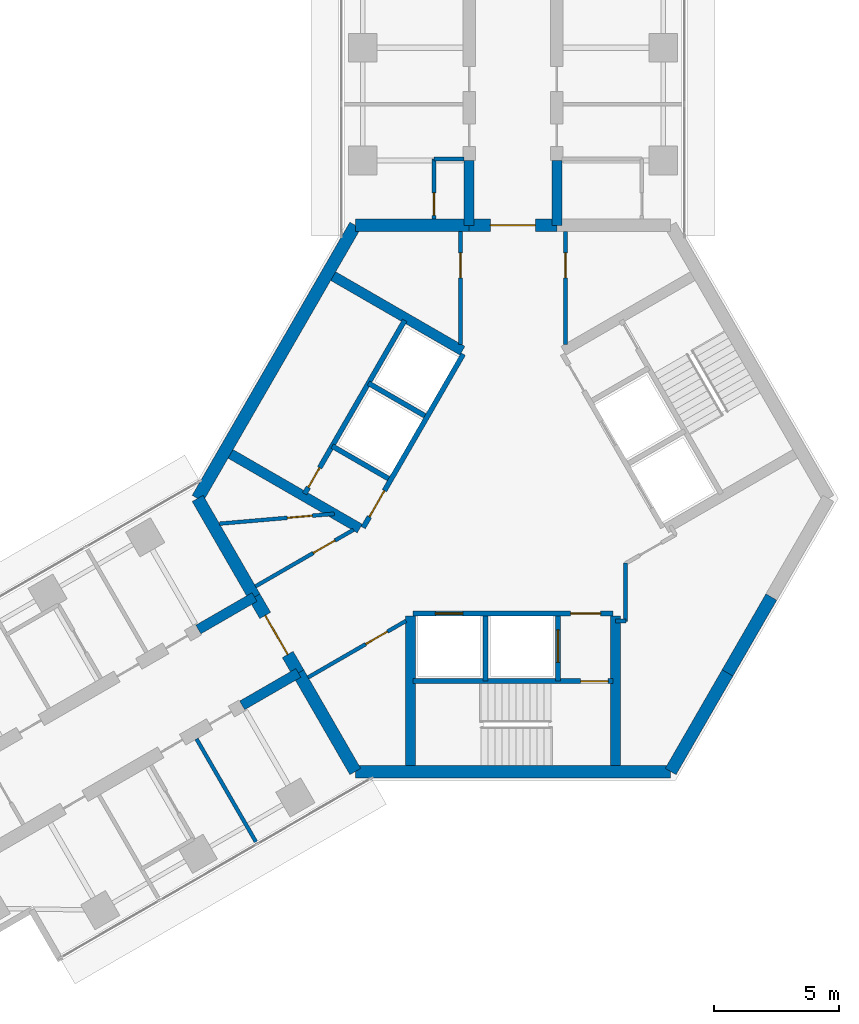
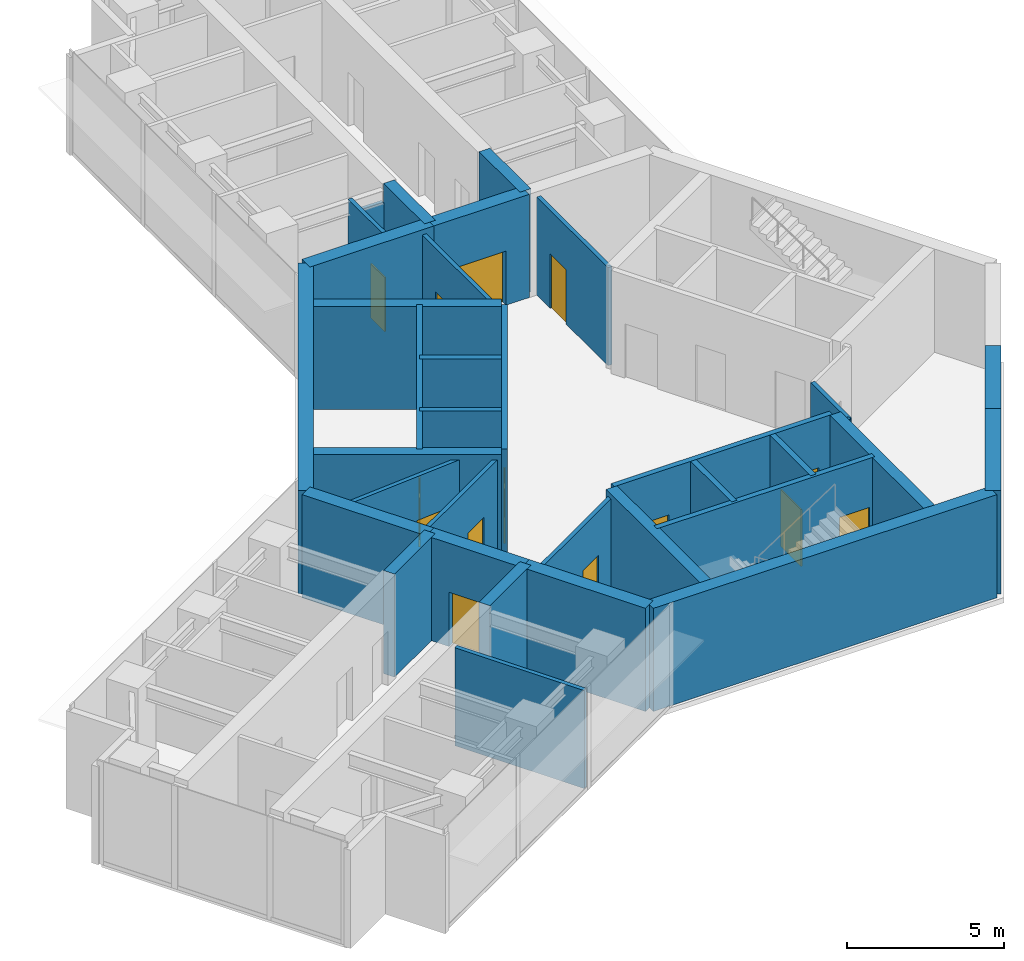
# One storey, part 14 of 17: 35 walls, 14 doors, 14 openings.
"""IFC4 building model written with IfcOpenShell, lengths in metres."""

from ifc_helpers import new_model, si_unit, direction, frame, frame_2d, origin, place, context, subcontext, project, spatial, rectangle, extrude, material, layer, layer_set, type_object, element, fill, save


model = new_model("IFC4")

# Units and contexts
model_context = context("Model", 3, precision=1e-05, world=origin(), true_north=direction((0.0, 1.0)))
body_context = subcontext(model_context, "Body", "Model", "MODEL_VIEW")
ifc_project = project(units=[si_unit("LENGTHUNIT", "METRE"), si_unit("AREAUNIT", "SQUARE_METRE"), si_unit("VOLUMEUNIT", "CUBIC_METRE"), si_unit("PLANEANGLEUNIT", "RADIAN"), si_unit("MASSUNIT", "GRAM", prefix="KILO")], contexts=[model_context])

# Site, building, storey
site_placement = place(None, origin())
site = spatial("IfcSite", under=ifc_project, at=site_placement, CompositionType="ELEMENT")
building_placement = place(site_placement, origin())
building = spatial("IfcBuilding", under=site, at=building_placement, Name="Upepo Twin Towers", CompositionType="ELEMENT")
storey_placement = place(building_placement, frame((0.0, 0.0, 210.5)))
storey = spatial("IfcBuildingStorey", under=building, at=storey_placement, Name="L51", CompositionType="ELEMENT", Elevation=210.5)

# Walls
ifc_material_1 = material(Name="Concrete C60/75", Category="concrete")
ifc_layer_1 = layer(ifc_material_1, 0.39990234375)
ifc_layer_set_1 = layer_set([ifc_layer_1], Name="Concrete C60/75")
wall_type_1 = type_object("IfcWallType", Name="Buttress wall 400 RC", PredefinedType="SHEAR", material=ifc_layer_set_1)
for number, where, z_axis, x_axis, name in (
    (1, (56.75, -7.091552734375, 0.0), (0.0, 0.0, 1.0), (0.0, 1.0, 0.0), "T2 wing A buttress wall L"),
    (2, (60.25, -7.091552734375, 0.0), (0.0, 0.0, 1.0), (0.0, 1.0, 0.0), "T2 wing A buttress wall R"),
):
    element("IfcWall", number, at=place(storey_placement, frame(where, z_axis=z_axis, x_axis=x_axis)), inside=storey, type_object=wall_type_1, Name=name, PredefinedType="SHEAR", context=body_context, shape_type="SweptSolid", body=[
        extrude(rectangle(XDim=2.591552734375, YDim=0.39990234375, at=frame_2d((1.2958984375, 0.0))), origin(), (0.0, 0.0, 1.0), 4.0),
    ])
for number, where, z_axis, x_axis, name in (
    (3, (49.92822265625, -24.9697265625, 0.0), (0.0, 0.0, 1.0), (-0.866031863473, -0.499988811324, 0.0), "T2 wing B buttress wall L"),
    (4, (48.17822265625, -21.938720703125, 0.0), (0.0, 0.0, 1.0), (-0.866072649678, -0.499918158782, 0.0), "T2 wing B buttress wall R"),
):
    element("IfcWall", number, at=place(storey_placement, frame(where, z_axis=z_axis, x_axis=x_axis)), inside=storey, type_object=wall_type_1, Name=name, PredefinedType="SHEAR", context=body_context, shape_type="SweptSolid", body=[
        extrude(rectangle(XDim=2.591796875, YDim=0.39990234375, at=frame_2d((1.2958984375, 0.0))), origin(), (0.0, 0.0, 1.0), 4.0),
    ])

# Wall, opening, door
ifc_material_2 = material(Name="Concrete C60/75", Category="concrete")
ifc_layer_2 = layer(ifc_material_2, 0.5)
ifc_layer_set_2 = layer_set([ifc_layer_2], Name="Concrete C60/75")
wall_type_2 = type_object("IfcWallType", Name="Core wall 500 RC", PredefinedType="SHEAR", material=ifc_layer_set_2)
wall_1_placement = place(storey_placement, frame((60.25, -7.091552734375, 0.0), z_axis=(0.0, 0.0, 1.0), x_axis=(-1.0, 0.0, 0.0)))
wall_1 = element("IfcWall", 5, at=wall_1_placement, inside=storey, type_object=wall_type_2, Name="T2 core wall 000", PredefinedType="SHEAR", context=body_context, shape_type="SweptSolid", body=[
    extrude(rectangle(XDim=3.5, YDim=0.5, at=frame_2d((1.75, 0.0))), origin(), (0.0, 0.0, 1.0), 4.0),
])
opening_1_placement = place(wall_1_placement, frame((0.85009765625, 0.0, 0.0)))
opening_1 = element("IfcOpeningElement", 6, at=opening_1_placement, cuts=wall_1, Name="Opening D2", PredefinedType="OPENING", context=body_context, shape_type="SweptSolid", body=[
    extrude(rectangle(XDim=1.800048828125, YDim=2.10009765625, at=frame_2d((0.89990234375, 1.050048828125))), frame((0.0, 0.260009765625, 0.0), z_axis=(0.0, -1.0, 0.0), x_axis=(1.0, 0.0, 0.0)), (0.0, 0.0, 1.0), 0.52001953125),
])
ifc_material_3 = material(Name="Timber doorset", Category="wood")
door_type_1 = type_object("IfcDoorType", Name="Corridor double door 1800 FD60", OperationType="DOUBLE_DOOR_DOUBLE_SWING", PredefinedType="DOOR", material=ifc_material_3)
door_1_placement = place(opening_1_placement, origin())
door_1 = element("IfcDoor", 7, at=door_1_placement, inside=storey, type_object=door_type_1, Name="T2 L51 wing A corridor door", OperationType="DOUBLE_DOOR_DOUBLE_SWING", OverallHeight=2.10009765625, OverallWidth=1.800048828125, PredefinedType="DOOR", context=body_context, shape_type="SweptSolid", body=[
    extrude(rectangle(XDim=1.800048828125, YDim=2.10009765625, at=frame_2d((0.89990234375, 1.050048828125))), frame((0.0, 0.02490234375, 0.0), z_axis=(0.0, -1.0, 0.0), x_axis=(1.0, 0.0, 0.0)), (0.0, 0.0, 1.0), 0.050048828125),
])
fill(opening_1, door_1)

# Walls
wall_2_placement = place(storey_placement, frame((56.75, -7.091552734375, 0.0), z_axis=(0.0, 0.0, 1.0), x_axis=(-1.0, 0.0, 0.0)))
element("IfcWall", 8, at=wall_2_placement, inside=storey, type_object=wall_type_2, Name="T2 core wall 000 L", PredefinedType="SHEAR", context=body_context, shape_type="SweptSolid", body=[
    extrude(rectangle(XDim=4.5478515625, YDim=0.5, at=frame_2d((2.27392578125, 0.0))), origin(), (0.0, 0.0, 1.0), 4.0),
])
wall_3_placement = place(storey_placement, frame((52.2021484375, -7.091552734375, 0.0), z_axis=(0.0, 0.0, 1.0), x_axis=(-0.500005998175, -0.866021940709, 0.0)))
element("IfcWall", 9, at=wall_3_placement, inside=storey, type_object=wall_type_2, Name="T2 core wall 060", PredefinedType="SHEAR", context=body_context, shape_type="SweptSolid", body=[
    extrude(rectangle(XDim=12.595947265625, YDim=0.5, at=frame_2d((6.2978515625, 0.0))), origin(), (0.0, 0.0, 1.0), 4.0),
])
wall_4_placement = place(storey_placement, frame((45.904052734375, -18.0, 0.0), z_axis=(0.0, 0.0, 1.0), x_axis=(0.500024481964, -0.866011268655, 0.0)))
element("IfcWall", 10, at=wall_4_placement, inside=storey, type_object=wall_type_2, Name="T2 core wall 120 R", PredefinedType="SHEAR", context=body_context, shape_type="SweptSolid", body=[
    extrude(rectangle(XDim=4.548095703125, YDim=0.5, at=frame_2d((2.27392578125, 0.0))), origin(), (0.0, 0.0, 1.0), 4.0),
])

# Wall, opening, door
wall_5_placement = place(storey_placement, frame((48.17822265625, -21.938720703125, 0.0), z_axis=(0.0, 0.0, 1.0), x_axis=(0.500010275428, -0.866019471182, 0.0)))
wall_5 = element("IfcWall", 11, at=wall_5_placement, inside=storey, type_object=wall_type_2, Name="T2 core wall 120", PredefinedType="SHEAR", context=body_context, shape_type="SweptSolid", body=[
    extrude(rectangle(XDim=3.5, YDim=0.5, at=frame_2d((1.75, 0.0))), origin(), (0.0, 0.0, 1.0), 4.0),
])
opening_2_placement = place(wall_5_placement, frame((0.85009765625, 0.0, 0.0)))
opening_2 = element("IfcOpeningElement", 12, at=opening_2_placement, cuts=wall_5, Name="Opening D2", PredefinedType="OPENING", context=body_context, shape_type="SweptSolid", body=[
    extrude(rectangle(XDim=1.800048828125, YDim=2.10009765625, at=frame_2d((0.89990234375, 1.050048828125))), frame((0.0, 0.260009765625, 0.0), z_axis=(0.0, -1.0, 0.0), x_axis=(1.0, 0.0, 0.0)), (0.0, 0.0, 1.0), 0.52001953125),
])
door_2_placement = place(opening_2_placement, origin())
door_2 = element("IfcDoor", 13, at=door_2_placement, inside=storey, type_object=door_type_1, Name="T2 L51 wing B corridor door", OperationType="DOUBLE_DOOR_DOUBLE_SWING", OverallHeight=2.10009765625, OverallWidth=1.800048828125, PredefinedType="DOOR", context=body_context, shape_type="SweptSolid", body=[
    extrude(rectangle(XDim=1.800048828125, YDim=2.10009765625, at=frame_2d((0.89990234375, 1.050048828125))), frame((0.0, 0.02490234375, 0.0), z_axis=(0.0, -1.0, 0.0), x_axis=(1.0, 0.0, 0.0)), (0.0, 0.0, 1.0), 0.050048828125),
])
fill(opening_2, door_2)

# Walls
wall_6_placement = place(storey_placement, frame((49.92822265625, -24.9697265625, 0.0), z_axis=(0.0, 0.0, 1.0), x_axis=(0.499984222037, -0.866034513004, 0.0)))
element("IfcWall", 14, at=wall_6_placement, inside=storey, type_object=wall_type_2, Name="T2 core wall 120 L", PredefinedType="SHEAR", context=body_context, shape_type="SweptSolid", body=[
    extrude(rectangle(XDim=4.548095703125, YDim=0.5, at=frame_2d((2.27392578125, 0.0))), origin(), (0.0, 0.0, 1.0), 4.0),
])
wall_7_placement = place(storey_placement, frame((52.2021484375, -28.908447265625, 0.0), z_axis=(0.0, 0.0, 1.0), x_axis=(1.0, 0.0, 0.0)))
element("IfcWall", 15, at=wall_7_placement, inside=storey, type_object=wall_type_2, Name="T2 core wall 180", PredefinedType="SHEAR", context=body_context, shape_type="SweptSolid", body=[
    extrude(rectangle(XDim=12.595703125, YDim=0.5, at=frame_2d((6.2978515625, 0.0))), origin(), (0.0, 0.0, 1.0), 4.0),
])
wall_8_placement = place(storey_placement, frame((64.7978515625, -28.908447265625, 0.0), z_axis=(0.0, 0.0, 1.0), x_axis=(0.499984222037, 0.866034513004, 0.0)))
element("IfcWall", 16, at=wall_8_placement, inside=storey, type_object=wall_type_2, Name="T2 core wall 240 R", PredefinedType="SHEAR", context=body_context, shape_type="SweptSolid", body=[
    extrude(rectangle(XDim=4.548095703125, YDim=0.5, at=frame_2d((2.27392578125, 0.0))), origin(), (0.0, 0.0, 1.0), 4.0),
])
wall_9_placement = place(storey_placement, frame((67.07177734375, -24.9697265625, 0.0), z_axis=(0.0, 0.0, 1.0), x_axis=(0.500010275428, 0.866019471182, 0.0)))
element("IfcWall", 17, at=wall_9_placement, inside=storey, type_object=wall_type_2, Name="T2 core wall 240", PredefinedType="SHEAR", context=body_context, shape_type="SweptSolid", body=[
    extrude(rectangle(XDim=3.5, YDim=0.5, at=frame_2d((1.75, 0.0))), origin(), (0.0, 0.0, 1.0), 4.0),
])

# Wall, opening, door
ifc_material_4 = material(Name="Concrete C40/50", Category="concrete")
ifc_layer_3 = layer(ifc_material_4, 0.199951171875)
ifc_layer_set_3 = layer_set([ifc_layer_3], Name="Concrete C40/50")
wall_type_3 = type_object("IfcWallType", Name="Shaft wall 200 RC", PredefinedType="SHEAR", material=ifc_layer_set_3)
wall_10_placement = place(storey_placement, frame((56.516357421875, -12.23583984375, 0.0), z_axis=(0.0, 0.0, 1.0), x_axis=(-0.49999894854, -0.866026010844, 0.0)))
wall_10 = element("IfcWall", 18, at=wall_10_placement, inside=storey, type_object=wall_type_3, Name="T2 core W60 front wall", PredefinedType="SHEAR", context=body_context, shape_type="SweptSolid", body=[
    extrude(rectangle(XDim=8.0, YDim=0.199951171875, at=frame_2d((4.0, 0.0))), origin(), (0.0, 0.0, 1.0), 4.0),
])
opening_3_placement = place(wall_10_placement, frame((6.300048828125, 0.0, 0.0)))
opening_3 = element("IfcOpeningElement", 19, at=opening_3_placement, cuts=wall_10, Name="Opening D4", PredefinedType="OPENING", context=body_context, shape_type="SweptSolid", body=[
    extrude(rectangle(XDim=1.199951171875, YDim=2.10009765625, at=frame_2d((0.60009765625, 1.050048828125))), frame((0.0, 0.10986328125, 0.0), z_axis=(0.0, -1.0, 0.0), x_axis=(1.0, 0.0, 0.0)), (0.0, 0.0, 1.0), 0.219970703125),
])
ifc_material_5 = material(Name="Timber doorset", Category="wood")
door_type_2 = type_object("IfcDoorType", Name="Lobby door 1200 FD60", OperationType="SINGLE_SWING_LEFT", PredefinedType="DOOR", material=ifc_material_5)
door_3_placement = place(opening_3_placement, origin())
door_3 = element("IfcDoor", 20, at=door_3_placement, inside=storey, type_object=door_type_2, Name="T2 L51 W60 lobby door", OperationType="SINGLE_SWING_RIGHT", OverallHeight=2.10009765625, OverallWidth=1.199951171875, PredefinedType="DOOR", context=body_context, shape_type="SweptSolid", body=[
    extrude(rectangle(XDim=1.199951171875, YDim=2.10009765625, at=frame_2d((0.60009765625, 1.050048828125))), frame((0.0, 0.02490234375, 0.0), z_axis=(0.0, -1.0, 0.0), x_axis=(1.0, 0.0, 0.0)), (0.0, 0.0, 1.0), 0.050048828125),
])
fill(opening_3, door_3)

# Walls
for number, where, z_axis, x_axis, name in (
    (21, (54.979736328125, -14.697265625, 0.0), (0.0, 0.0, 1.0), (-0.866062058628, 0.499936506574, 0.0), "T2 core W60 shaft divider"),
    (22, (53.52978515625, -17.208740234375, 0.0), (0.0, 0.0, 1.0), (-0.866062058628, 0.499936506574, 0.0), "T2 core W60 lobby wall"),
):
    element("IfcWall", number, at=place(storey_placement, frame(where, z_axis=z_axis, x_axis=x_axis)), inside=storey, type_object=wall_type_3, Name=name, PredefinedType="SHEAR", context=body_context, shape_type="SweptSolid", body=[
        extrude(rectangle(XDim=2.599853515625, YDim=0.199951171875, at=frame_2d((1.2998046875, 0.0))), origin(), (0.0, 0.0, 1.0), 4.0),
    ])

# Wall, opening, door
wall_11_placement = place(storey_placement, frame((54.177978515625, -10.885986328125, 0.0), z_axis=(0.0, 0.0, 1.0), x_axis=(-0.49999894854, -0.866026010844, 0.0)))
wall_11 = element("IfcWall", 23, at=wall_11_placement, inside=storey, type_object=wall_type_3, Name="T2 core W60 stair wall", PredefinedType="SHEAR", context=body_context, shape_type="SweptSolid", body=[
    extrude(rectangle(XDim=8.0, YDim=0.199951171875, at=frame_2d((4.0, 0.0))), origin(), (0.0, 0.0, 1.0), 4.0),
])
opening_4_placement = place(wall_11_placement, frame((6.800048828125, 0.0, 0.0)))
opening_4 = element("IfcOpeningElement", 24, at=opening_4_placement, cuts=wall_11, Name="Opening D9", PredefinedType="OPENING", context=body_context, shape_type="SweptSolid", body=[
    extrude(rectangle(XDim=0.89990234375, YDim=2.10009765625, at=frame_2d((0.449951171875, 1.050048828125))), frame((0.0, 0.10986328125, 0.0), z_axis=(0.0, -1.0, 0.0), x_axis=(1.0, 0.0, 0.0)), (0.0, 0.0, 1.0), 0.219970703125),
])
ifc_material_6 = material(Name="Timber doorset", Category="wood")
door_type_3 = type_object("IfcDoorType", Name="Riser door 900 FD60", OperationType="SINGLE_SWING_LEFT", PredefinedType="DOOR", material=ifc_material_6)
door_4_placement = place(opening_4_placement, origin())
door_4 = element("IfcDoor", 25, at=door_4_placement, inside=storey, type_object=door_type_3, Name="T2 L51 riser door", OperationType="SINGLE_SWING_RIGHT", OverallHeight=2.10009765625, OverallWidth=0.89990234375, PredefinedType="DOOR", context=body_context, shape_type="SweptSolid", body=[
    extrude(rectangle(XDim=0.89990234375, YDim=2.10009765625, at=frame_2d((0.449951171875, 1.050048828125))), frame((0.0, 0.02490234375, 0.0), z_axis=(0.0, -1.0, 0.0), x_axis=(1.0, 0.0, 0.0)), (0.0, 0.0, 1.0), 0.050048828125),
])
fill(opening_4, door_4)

# Wall, openings, doors
wall_12_placement = place(storey_placement, frame((54.5, -22.60009765625, 0.0), z_axis=(0.0, 0.0, 1.0), x_axis=(1.0, 0.0, 0.0)))
wall_12 = element("IfcWall", 26, at=wall_12_placement, inside=storey, type_object=wall_type_3, Name="T2 core W180 front wall", PredefinedType="SHEAR", context=body_context, shape_type="SweptSolid", body=[
    extrude(rectangle(XDim=8.0, YDim=0.199951171875, at=frame_2d((4.0, 0.0))), origin(), (0.0, 0.0, 1.0), 4.0),
])
opening_5_placement = place(wall_12_placement, frame((6.300048828125, 0.0, 0.0)))
opening_5 = element("IfcOpeningElement", 27, at=opening_5_placement, cuts=wall_12, Name="Opening D4", PredefinedType="OPENING", context=body_context, shape_type="SweptSolid", body=[
    extrude(rectangle(XDim=1.199951171875, YDim=2.10009765625, at=frame_2d((0.60009765625, 1.050048828125))), frame((0.0, 0.10986328125, 0.0), z_axis=(0.0, -1.0, 0.0), x_axis=(1.0, 0.0, 0.0)), (0.0, 0.0, 1.0), 0.219970703125),
])
opening_6_placement = place(wall_12_placement, frame((0.89990234375, 0.0, 0.0)))
opening_6 = element("IfcOpeningElement", 28, at=opening_6_placement, cuts=wall_12, Name="Opening LD1", PredefinedType="OPENING", context=body_context, shape_type="SweptSolid", body=[
    extrude(rectangle(XDim=1.10009765625, YDim=2.199951171875, at=frame_2d((0.550048828125, 1.10009765625))), frame((0.0, 0.10986328125, 0.0), z_axis=(0.0, -1.0, 0.0), x_axis=(1.0, 0.0, 0.0)), (0.0, 0.0, 1.0), 0.219970703125),
])
ifc_material_7 = material(Name="Steel doorset", Category="steel")
door_type_4 = type_object("IfcDoorType", Name="Lift landing door 1100", OperationType="DOUBLE_DOOR_SLIDING", PredefinedType="DOOR", material=ifc_material_7)
door_5_placement = place(opening_6_placement, origin())
door_5 = element("IfcDoor", 29, at=door_5_placement, inside=storey, type_object=door_type_4, Name="T2 L51 lift SV1 landing door", OperationType="DOUBLE_DOOR_SLIDING", OverallHeight=2.199951171875, OverallWidth=1.10009765625, PredefinedType="DOOR", context=body_context, shape_type="SweptSolid", body=[
    extrude(rectangle(XDim=1.10009765625, YDim=2.199951171875, at=frame_2d((0.550048828125, 1.10009765625))), frame((0.0, 0.02490234375, 0.0), z_axis=(0.0, -1.0, 0.0), x_axis=(1.0, 0.0, 0.0)), (0.0, 0.0, 1.0), 0.050048828125),
])
fill(opening_6, door_5)
door_6_placement = place(opening_5_placement, origin())
door_6 = element("IfcDoor", 30, at=door_6_placement, inside=storey, type_object=door_type_2, Name="T2 L51 W180 lobby door", OperationType="SINGLE_SWING_RIGHT", OverallHeight=2.10009765625, OverallWidth=1.199951171875, PredefinedType="DOOR", context=body_context, shape_type="SweptSolid", body=[
    extrude(rectangle(XDim=1.199951171875, YDim=2.10009765625, at=frame_2d((0.60009765625, 1.050048828125))), frame((0.0, 0.02490234375, 0.0), z_axis=(0.0, -1.0, 0.0), x_axis=(1.0, 0.0, 0.0)), (0.0, 0.0, 1.0), 0.050048828125),
])
fill(opening_5, door_6)

# Wall
wall_13_placement = place(storey_placement, frame((57.39990234375, -22.699951171875, 0.0), z_axis=(0.0, 0.0, 1.0), x_axis=(0.0, -1.0, 0.0)))
element("IfcWall", 31, at=wall_13_placement, inside=storey, type_object=wall_type_3, Name="T2 core W180 shaft divider", PredefinedType="SHEAR", context=body_context, shape_type="SweptSolid", body=[
    extrude(rectangle(XDim=2.60009765625, YDim=0.199951171875, at=frame_2d((1.300048828125, 0.0))), origin(), (0.0, 0.0, 1.0), 4.0),
])

# Wall, opening, door
wall_14_placement = place(storey_placement, frame((60.300048828125, -22.699951171875, 0.0), z_axis=(0.0, 0.0, 1.0), x_axis=(0.0, -1.0, 0.0)))
wall_14 = element("IfcWall", 32, at=wall_14_placement, inside=storey, type_object=wall_type_3, Name="T2 core W180 lobby wall", PredefinedType="SHEAR", context=body_context, shape_type="SweptSolid", body=[
    extrude(rectangle(XDim=2.60009765625, YDim=0.199951171875, at=frame_2d((1.300048828125, 0.0))), origin(), (0.0, 0.0, 1.0), 4.0),
])
opening_7_placement = place(wall_14_placement, frame((0.550048828125, 0.0, 0.0)))
opening_7 = element("IfcOpeningElement", 33, at=opening_7_placement, cuts=wall_14, Name="Opening LD2", PredefinedType="OPENING", context=body_context, shape_type="SweptSolid", body=[
    extrude(rectangle(XDim=1.300048828125, YDim=2.199951171875, at=frame_2d((0.64990234375, 1.10009765625))), frame((0.0, 0.10986328125, 0.0), z_axis=(0.0, -1.0, 0.0), x_axis=(1.0, 0.0, 0.0)), (0.0, 0.0, 1.0), 0.219970703125),
])
ifc_material_8 = material(Name="Steel doorset", Category="steel")
door_type_5 = type_object("IfcDoorType", Name="Firefighting lift landing door 1300", OperationType="DOUBLE_DOOR_SLIDING", PredefinedType="DOOR", material=ifc_material_8)
door_7_placement = place(opening_7_placement, origin())
door_7 = element("IfcDoor", 34, at=door_7_placement, inside=storey, type_object=door_type_5, Name="T2 L51 firefighting lift landing door", OperationType="DOUBLE_DOOR_SLIDING", OverallHeight=2.199951171875, OverallWidth=1.300048828125, PredefinedType="DOOR", context=body_context, shape_type="SweptSolid", body=[
    extrude(rectangle(XDim=1.300048828125, YDim=2.199951171875, at=frame_2d((0.64990234375, 1.10009765625))), frame((0.0, 0.02490234375, 0.0), z_axis=(0.0, -1.0, 0.0), x_axis=(1.0, 0.0, 0.0)), (0.0, 0.0, 1.0), 0.050048828125),
])
fill(opening_7, door_7)

wall_15_placement = place(storey_placement, frame((54.5, -25.300048828125, 0.0), z_axis=(0.0, 0.0, 1.0), x_axis=(1.0, 0.0, 0.0)))
wall_15 = element("IfcWall", 35, at=wall_15_placement, inside=storey, type_object=wall_type_3, Name="T2 core W180 stair wall", PredefinedType="SHEAR", context=body_context, shape_type="SweptSolid", body=[
    extrude(rectangle(XDim=8.0, YDim=0.199951171875, at=frame_2d((4.0, 0.0))), origin(), (0.0, 0.0, 1.0), 4.0),
])
opening_8_placement = place(wall_15_placement, frame((6.699951171875, 0.0, 0.0)))
opening_8 = element("IfcOpeningElement", 36, at=opening_8_placement, cuts=wall_15, Name="Opening D3", PredefinedType="OPENING", context=body_context, shape_type="SweptSolid", body=[
    extrude(rectangle(XDim=1.10009765625, YDim=2.10009765625, at=frame_2d((0.550048828125, 1.050048828125))), frame((0.0, 0.10986328125, 0.0), z_axis=(0.0, -1.0, 0.0), x_axis=(1.0, 0.0, 0.0)), (0.0, 0.0, 1.0), 0.219970703125),
])
ifc_material_9 = material(Name="Timber doorset", Category="wood")
door_type_6 = type_object("IfcDoorType", Name="Stair door 1100 FD60", OperationType="SINGLE_SWING_LEFT", PredefinedType="DOOR", material=ifc_material_9)
door_8_placement = place(opening_8_placement, origin())
door_8 = element("IfcDoor", 37, at=door_8_placement, inside=storey, type_object=door_type_6, Name="T2 L51 stair door", OperationType="SINGLE_SWING_RIGHT", OverallHeight=2.10009765625, OverallWidth=1.10009765625, PredefinedType="DOOR", context=body_context, shape_type="SweptSolid", body=[
    extrude(rectangle(XDim=1.10009765625, YDim=2.10009765625, at=frame_2d((0.550048828125, 1.050048828125))), frame((0.0, 0.02490234375, 0.0), z_axis=(0.0, -1.0, 0.0), x_axis=(1.0, 0.0, 0.0)), (0.0, 0.0, 1.0), 0.050048828125),
])
fill(opening_8, door_8)

# Walls
ifc_material_10 = material(Name="Concrete C40/50", Category="concrete")
ifc_layer_4 = layer(ifc_material_10, 0.39990234375)
ifc_layer_set_4 = layer_set([ifc_layer_4], Name="Concrete C40/50")
wall_type_4 = type_object("IfcWallType", Name="Shaft wall 400 RC", PredefinedType="SHEAR", material=ifc_layer_set_4)
wall_16_placement = place(storey_placement, frame((52.379638671875, -19.20068359375, 0.0), z_axis=(0.0, 0.0, 1.0), x_axis=(-0.866012946976, 0.500021575205, 0.0)))
element("IfcWall", 38, at=wall_16_placement, inside=storey, type_object=wall_type_4, Name="T2 core W60 side wall N", PredefinedType="SHEAR", context=body_context, shape_type="SweptSolid", body=[
    extrude(rectangle(XDim=5.958251953125, YDim=0.39990234375, at=frame_2d((2.97900390625, 0.0))), origin(), (0.0, 0.0, 1.0), 4.0),
])
for number, where, z_axis, x_axis, name in (
    (39, (56.479736328125, -12.099365234375, 0.0), (0.0, 0.0, 1.0), (-0.86602319114, 0.500003832394, 0.0), "T2 core W60 side wall S"),
    (40, (62.60009765625, -22.699951171875, 0.0), (0.0, 0.0, 1.0), (0.0, -1.0, 0.0), "T2 core W180 side wall N"),
    (41, (54.39990234375, -22.699951171875, 0.0), (0.0, 0.0, 1.0), (0.0, -1.0, 0.0), "T2 core W180 side wall S"),
):
    element("IfcWall", number, at=place(storey_placement, frame(where, z_axis=z_axis, x_axis=x_axis)), inside=storey, type_object=wall_type_4, Name=name, PredefinedType="SHEAR", context=body_context, shape_type="SweptSolid", body=[
        extrude(rectangle(XDim=5.95849609375, YDim=0.39990234375, at=frame_2d((2.979248046875, 0.0))), origin(), (0.0, 0.0, 1.0), 4.0),
    ])

# Wall, opening, door
ifc_material_11 = material(Name="Gypsum board on steel studs", Category="steel")
ifc_layer_5 = layer(ifc_material_11, 0.14990234375)
ifc_layer_set_5 = layer_set([ifc_layer_5], Name="Teaching partition 150 acoustic")
wall_type_5 = type_object("IfcWallType", Name="Teaching partition 150 acoustic", PredefinedType="PARTITIONING", material=ifc_layer_set_5)
wall_17_placement = place(storey_placement, frame((55.35009765625, -6.842041015625, 0.0), z_axis=(0.0, 0.0, 1.0), x_axis=(0.0, 1.0, 0.0)))
wall_17 = element("IfcWall", 42, at=wall_17_placement, inside=storey, type_object=wall_type_5, Name="T2 WC bay partition AL at 11.16", PredefinedType="PARTITIONING", context=body_context, shape_type="SweptSolid", body=[
    extrude(rectangle(XDim=2.400146484375, YDim=0.14990234375, at=frame_2d((1.2001953125, 0.0))), origin(), (0.0, 0.0, 1.0), 3.800048828125),
])
opening_9_placement = place(wall_17_placement, frame((0.14990234375, 0.0, 0.0)))
opening_9 = element("IfcOpeningElement", 43, at=opening_9_placement, cuts=wall_17, Name="Opening D14", PredefinedType="OPENING", context=body_context, shape_type="SweptSolid", body=[
    extrude(rectangle(XDim=0.89990234375, YDim=2.10009765625, at=frame_2d((0.449951171875, 1.050048828125))), frame((0.0, 0.0849609375, 0.0), z_axis=(0.0, -1.0, 0.0), x_axis=(1.0, 0.0, 0.0)), (0.0, 0.0, 1.0), 0.169921875),
])
ifc_material_12 = material(Name="Timber doorset", Category="wood")
door_type_7 = type_object("IfcDoorType", Name="Office door 900 FD30", OperationType="SINGLE_SWING_LEFT", PredefinedType="DOOR", material=ifc_material_12)
door_9_placement = place(opening_9_placement, origin())
door_9 = element("IfcDoor", 44, at=door_9_placement, inside=storey, type_object=door_type_7, Name="T2 L51 WC bay inner room door", OperationType="SINGLE_SWING_LEFT", OverallHeight=2.10009765625, OverallWidth=0.89990234375, PredefinedType="DOOR", context=body_context, shape_type="SweptSolid", body=[
    extrude(rectangle(XDim=0.89990234375, YDim=2.10009765625, at=frame_2d((0.449951171875, 1.050048828125))), frame((0.0, 0.02490234375, 0.0), z_axis=(0.0, -1.0, 0.0), x_axis=(1.0, 0.0, 0.0)), (0.0, 0.0, 1.0), 0.050048828125),
])
fill(opening_9, door_9)

# Walls
wall_18_placement = place(storey_placement, frame((56.550048828125, -4.44189453125, 0.0), z_axis=(0.0, 0.0, 1.0), x_axis=(-1.0, 0.0, 0.0)))
element("IfcWall", 45, at=wall_18_placement, inside=storey, type_object=wall_type_5, Name="T2 WC bay partition AL end at 13.56", PredefinedType="PARTITIONING", context=body_context, shape_type="SweptSolid", body=[
    extrude(rectangle(XDim=1.199951171875, YDim=0.14990234375, at=frame_2d((0.60009765625, 0.0))), origin(), (0.0, 0.0, 1.0), 3.266845703125),
])
wall_19_placement = place(storey_placement, frame((45.860107421875, -27.60693359375, 0.0), z_axis=(0.0, 0.0, 1.0), x_axis=(0.499986429846, -0.866033238375, 0.0)))
element("IfcWall", 46, at=wall_19_placement, inside=storey, type_object=wall_type_5, Name="T2 partition BL at 15.75", PredefinedType="PARTITIONING", context=body_context, shape_type="SweptSolid", body=[
    extrude(rectangle(XDim=4.750244140625, YDim=0.14990234375, at=frame_2d((2.375, 0.0))), origin(), (0.0, 0.0, 1.0), 3.800048828125),
])
wall_20_placement = place(storey_placement, frame((63.02001953125, -22.89990234375, 0.0), z_axis=(0.0, 0.0, 1.0), x_axis=(-1.0, 0.0, 0.0)))
element("IfcWall", 47, at=wall_20_placement, inside=storey, type_object=wall_type_5, Name="T2 core room partition 1", PredefinedType="PARTITIONING", context=body_context, shape_type="SweptSolid", body=[
    extrude(rectangle(XDim=0.429931640625, YDim=0.14990234375, at=frame_2d((0.21484375, 0.0))), origin(), (0.0, 0.0, 1.0), 3.800048828125),
])

# Wall, opening, door
wall_21_placement = place(storey_placement, frame((54.230224609375, -22.889892578125, 0.0), z_axis=(0.0, 0.0, 1.0), x_axis=(-0.866006805923, -0.500032211057, 0.0)))
wall_21 = element("IfcWall", 48, at=wall_21_placement, inside=storey, type_object=wall_type_5, Name="T2 core room partition 2", PredefinedType="PARTITIONING", context=body_context, shape_type="SweptSolid", body=[
    extrude(rectangle(XDim=4.525634765625, YDim=0.14990234375, at=frame_2d((2.2626953125, 0.0))), origin(), (0.0, 0.0, 1.0), 3.800048828125),
])
opening_10_placement = place(wall_21_placement, frame((0.857666015625, 0.0, 0.0)))
opening_10 = element("IfcOpeningElement", 49, at=opening_10_placement, cuts=wall_21, Name="Opening D1", PredefinedType="OPENING", context=body_context, shape_type="SweptSolid", body=[
    extrude(rectangle(XDim=1.0, YDim=2.10009765625, at=frame_2d((0.5, 1.050048828125))), frame((0.0, 0.0849609375, 0.0), z_axis=(0.0, -1.0, 0.0), x_axis=(1.0, 0.0, 0.0)), (0.0, 0.0, 1.0), 0.169921875),
])
ifc_material_13 = material(Name="Timber doorset", Category="wood")
door_type_8 = type_object("IfcDoorType", Name="Room door 1000 FD30", OperationType="SINGLE_SWING_LEFT", PredefinedType="DOOR", material=ifc_material_13)
door_10_placement = place(opening_10_placement, origin())
door_10 = element("IfcDoor", 50, at=door_10_placement, inside=storey, type_object=door_type_8, Name="T2 L51 core room door K3", OperationType="SINGLE_SWING_LEFT", OverallHeight=2.10009765625, OverallWidth=1.0, PredefinedType="DOOR", context=body_context, shape_type="SweptSolid", body=[
    extrude(rectangle(XDim=1.0, YDim=2.10009765625, at=frame_2d((0.5, 1.050048828125))), frame((0.0, 0.02490234375, 0.0), z_axis=(0.0, -1.0, 0.0), x_axis=(1.0, 0.0, 0.0)), (0.0, 0.0, 1.0), 0.050048828125),
])
fill(opening_10, door_10)

wall_22_placement = place(storey_placement, frame((48.2109375, -21.515380859375, 0.0), z_axis=(0.0, 0.0, 1.0), x_axis=(0.866043651885, 0.499968392031, 0.0)))
wall_22 = element("IfcWall", 51, at=wall_22_placement, inside=storey, type_object=wall_type_5, Name="T2 core room partition 3", PredefinedType="PARTITIONING", context=body_context, shape_type="SweptSolid", body=[
    extrude(rectangle(XDim=4.525634765625, YDim=0.14990234375, at=frame_2d((2.2626953125, 0.0))), origin(), (0.0, 0.0, 1.0), 3.800048828125),
])
opening_11_placement = place(wall_22_placement, frame((2.66796875, 0.0, 0.0)))
opening_11 = element("IfcOpeningElement", 52, at=opening_11_placement, cuts=wall_22, Name="Opening D1", PredefinedType="OPENING", context=body_context, shape_type="SweptSolid", body=[
    extrude(rectangle(XDim=1.0, YDim=2.10009765625, at=frame_2d((0.5, 1.050048828125))), frame((0.0, 0.0849609375, 0.0), z_axis=(0.0, -1.0, 0.0), x_axis=(1.0, 0.0, 0.0)), (0.0, 0.0, 1.0), 0.169921875),
])
door_11_placement = place(opening_11_placement, origin())
door_11 = element("IfcDoor", 53, at=door_11_placement, inside=storey, type_object=door_type_8, Name="T2 L51 core room door K2", OperationType="SINGLE_SWING_RIGHT", OverallHeight=2.10009765625, OverallWidth=1.0, PredefinedType="DOOR", context=body_context, shape_type="SweptSolid", body=[
    extrude(rectangle(XDim=1.0, YDim=2.10009765625, at=frame_2d((0.5, 1.050048828125))), frame((0.0, 0.02490234375, 0.0), z_axis=(0.0, -1.0, 0.0), x_axis=(1.0, 0.0, 0.0)), (0.0, 0.0, 1.0), 0.050048828125),
])
fill(opening_11, door_11)

wall_23_placement = place(storey_placement, frame((56.39990234375, -11.857421875, 0.0), z_axis=(0.0, 0.0, 1.0), x_axis=(0.0, 1.0, 0.0)))
wall_23 = element("IfcWall", 54, at=wall_23_placement, inside=storey, type_object=wall_type_5, Name="T2 core room partition 4", PredefinedType="PARTITIONING", context=body_context, shape_type="SweptSolid", body=[
    extrude(rectangle(XDim=4.525634765625, YDim=0.14990234375, at=frame_2d((2.2626953125, 0.0))), origin(), (0.0, 0.0, 1.0), 3.800048828125),
])
opening_12_placement = place(wall_23_placement, frame((2.66796875, 0.0, 0.0)))
opening_12 = element("IfcOpeningElement", 55, at=opening_12_placement, cuts=wall_23, Name="Opening D1", PredefinedType="OPENING", context=body_context, shape_type="SweptSolid", body=[
    extrude(rectangle(XDim=1.0, YDim=2.10009765625, at=frame_2d((0.5, 1.050048828125))), frame((0.0, 0.0849609375, 0.0), z_axis=(0.0, -1.0, 0.0), x_axis=(1.0, 0.0, 0.0)), (0.0, 0.0, 1.0), 0.169921875),
])
door_12_placement = place(opening_12_placement, origin())
door_12 = element("IfcDoor", 56, at=door_12_placement, inside=storey, type_object=door_type_8, Name="T2 L51 core room door K6", OperationType="SINGLE_SWING_RIGHT", OverallHeight=2.10009765625, OverallWidth=1.0, PredefinedType="DOOR", context=body_context, shape_type="SweptSolid", body=[
    extrude(rectangle(XDim=1.0, YDim=2.10009765625, at=frame_2d((0.5, 1.050048828125))), frame((0.0, 0.02490234375, 0.0), z_axis=(0.0, -1.0, 0.0), x_axis=(1.0, 0.0, 0.0)), (0.0, 0.0, 1.0), 0.050048828125),
])
fill(opening_12, door_12)

wall_24_placement = place(storey_placement, frame((60.60009765625, -7.331787109375, 0.0), z_axis=(0.0, 0.0, 1.0), x_axis=(0.0, -1.0, 0.0)))
wall_24 = element("IfcWall", 57, at=wall_24_placement, inside=storey, type_object=wall_type_5, Name="T2 core room partition 5", PredefinedType="PARTITIONING", context=body_context, shape_type="SweptSolid", body=[
    extrude(rectangle(XDim=4.525634765625, YDim=0.14990234375, at=frame_2d((2.2626953125, 0.0))), origin(), (0.0, 0.0, 1.0), 3.800048828125),
])
opening_13_placement = place(wall_24_placement, frame((0.857666015625, 0.0, 0.0)))
opening_13 = element("IfcOpeningElement", 58, at=opening_13_placement, cuts=wall_24, Name="Opening D1", PredefinedType="OPENING", context=body_context, shape_type="SweptSolid", body=[
    extrude(rectangle(XDim=1.0, YDim=2.10009765625, at=frame_2d((0.5, 1.050048828125))), frame((0.0, 0.0849609375, 0.0), z_axis=(0.0, -1.0, 0.0), x_axis=(1.0, 0.0, 0.0)), (0.0, 0.0, 1.0), 0.169921875),
])
door_13_placement = place(opening_13_placement, origin())
door_13 = element("IfcDoor", 59, at=door_13_placement, inside=storey, type_object=door_type_8, Name="T2 L51 core room door K5", OperationType="SINGLE_SWING_LEFT", OverallHeight=2.10009765625, OverallWidth=1.0, PredefinedType="DOOR", context=body_context, shape_type="SweptSolid", body=[
    extrude(rectangle(XDim=1.0, YDim=2.10009765625, at=frame_2d((0.5, 1.050048828125))), frame((0.0, 0.02490234375, 0.0), z_axis=(0.0, -1.0, 0.0), x_axis=(1.0, 0.0, 0.0)), (0.0, 0.0, 1.0), 0.050048828125),
])
fill(opening_13, door_13)

# Wall
wall_25_placement = place(storey_placement, frame((63.0, -20.578125, 0.0), z_axis=(0.0, 0.0, 1.0), x_axis=(0.0, -1.0, 0.0)))
element("IfcWall", 60, at=wall_25_placement, inside=storey, type_object=wall_type_5, Name="T2 core room partition 8", PredefinedType="PARTITIONING", context=body_context, shape_type="SweptSolid", body=[
    extrude(rectangle(XDim=2.341796875, YDim=0.14990234375, at=frame_2d((1.1708984375, 0.0))), origin(), (0.0, 0.0, 1.0), 3.800048828125),
])

# Wall, opening, door
wall_26_placement = place(storey_placement, frame((51.36376953125, -18.614013671875, 0.0), z_axis=(0.0, 0.0, 1.0), x_axis=(-0.996314617181, -0.085774026317, 0.0)))
wall_26 = element("IfcWall", 61, at=wall_26_placement, inside=storey, type_object=wall_type_5, Name="T2 core room partition 9", PredefinedType="PARTITIONING", context=body_context, shape_type="SweptSolid", body=[
    extrude(rectangle(XDim=4.60546875, YDim=0.14990234375, at=frame_2d((2.302734375, 0.0))), origin(), (0.0, 0.0, 1.0), 3.800048828125),
])
opening_14_placement = place(wall_26_placement, frame((0.881591796875, 0.0, 0.0)))
opening_14 = element("IfcOpeningElement", 62, at=opening_14_placement, cuts=wall_26, Name="Opening D1", PredefinedType="OPENING", context=body_context, shape_type="SweptSolid", body=[
    extrude(rectangle(XDim=1.0, YDim=2.10009765625, at=frame_2d((0.5, 1.050048828125))), frame((0.0, 0.0849609375, 0.0), z_axis=(0.0, -1.0, 0.0), x_axis=(1.0, 0.0, 0.0)), (0.0, 0.0, 1.0), 0.169921875),
])
door_14_placement = place(opening_14_placement, origin())
door_14 = element("IfcDoor", 63, at=door_14_placement, inside=storey, type_object=door_type_8, Name="T2 L51 core room door K1", OperationType="SINGLE_SWING_LEFT", OverallHeight=2.10009765625, OverallWidth=1.0, PredefinedType="DOOR", context=body_context, shape_type="SweptSolid", body=[
    extrude(rectangle(XDim=1.0, YDim=2.10009765625, at=frame_2d((0.5, 1.050048828125))), frame((0.0, 0.02490234375, 0.0), z_axis=(0.0, -1.0, 0.0), x_axis=(1.0, 0.0, 0.0)), (0.0, 0.0, 1.0), 0.050048828125),
])
fill(opening_14, door_14)

save(model, "model.ifc")
